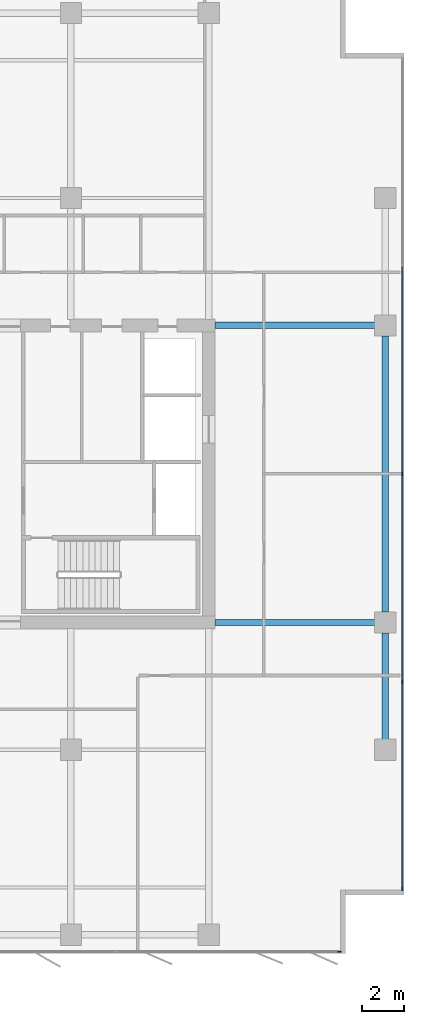
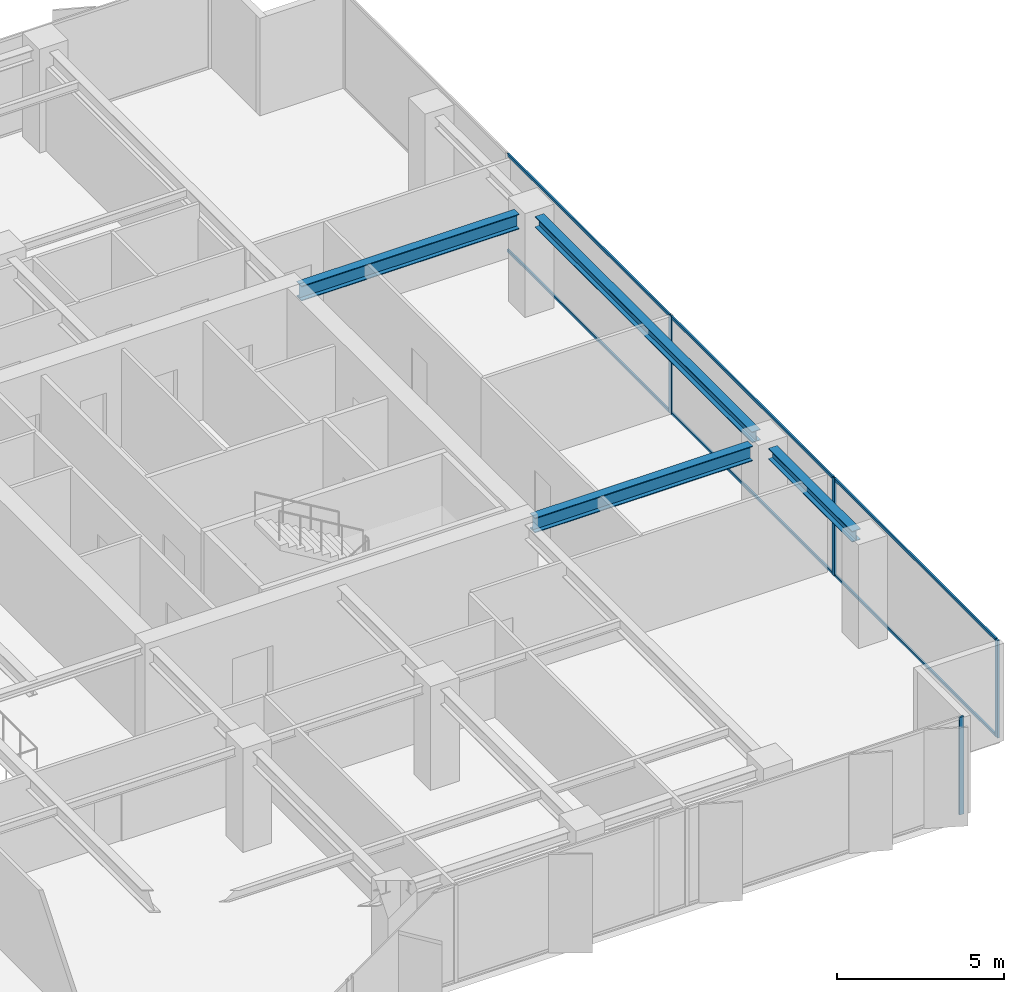
# One storey, part 12 of 22: 10 members, 4 beams, 2 elements without a shape of their own.
"""IFC4 building model written with IfcOpenShell, lengths in metres."""

from ifc_helpers import new_model, si_unit, direction, frame, origin, origin_2d, place, context, subcontext, project, spatial, rectangle, i_section, extrude, material, layer, layer_set, material_profile, profile_set, type_object, element, aggregate, save


model = new_model("IFC4")

# Units and contexts
model_context = context("Model", 3, precision=1e-05, world=origin(), true_north=direction((0.0, 1.0)))
body_context = subcontext(model_context, "Body", "Model", "MODEL_VIEW")
ifc_project = project(units=[si_unit("LENGTHUNIT", "METRE"), si_unit("AREAUNIT", "SQUARE_METRE"), si_unit("VOLUMEUNIT", "CUBIC_METRE"), si_unit("PLANEANGLEUNIT", "RADIAN"), si_unit("MASSUNIT", "GRAM", prefix="KILO")], contexts=[model_context])

# Site, building, storey
site_placement = place(None, origin())
site = spatial("IfcSite", under=ifc_project, at=site_placement, CompositionType="ELEMENT")
building_placement = place(site_placement, origin())
building = spatial("IfcBuilding", under=site, at=building_placement, Name="Putna Gate Headquarters", CompositionType="ELEMENT")
storey_placement = place(building_placement, frame((0.0, 0.0, 167.0)))
storey = spatial("IfcBuildingStorey", under=building, at=storey_placement, Name="L41", CompositionType="ELEMENT", Elevation=167.0)

# Beams
ifc_material_1 = material(Name="Steel S355J2", Category="steel")
ifc_material_profile_1 = material_profile(ifc_material_1, i_section(OverallWidth=0.300048828125, OverallDepth=0.550048828125, WebThickness=0.014892578125, FlangeThickness=0.029052734375, at=origin_2d()), Name="Steel S355J2")
ifc_profile_set_1 = profile_set([ifc_material_profile_1], Name="Steel S355J2")
beam_type_1 = type_object("IfcBeamType", Name="BM-GIRD-Z3-HEB550", PredefinedType="USERDEFINED", material=ifc_profile_set_1)
for number, where, z_axis, x_axis, name in (
    (1, (65.284912109375, 19.0, 3.297119140625), (1.0, 0.0, 0.0), (0.0, 1.0, 0.0), "L41 East Wing Girder Y19"),
    (2, (65.284912109375, 33.0, 3.297119140625), (1.0, 0.0, 0.0), (0.0, 1.0, 0.0), "L41 East Wing Girder Y33"),
):
    element("IfcBeam", number, at=place(storey_placement, frame(where, z_axis=z_axis, x_axis=x_axis)), inside=storey, type_object=beam_type_1, Name=name, ObjectType="GIRDER", PredefinedType="USERDEFINED", context=body_context, shape_type="SweptSolid", body=[
        extrude(i_section(OverallWidth=0.300048828125, OverallDepth=0.550048828125, WebThickness=0.014892578125, FlangeThickness=0.029052734375, at=origin_2d()), origin(), (0.0, 0.0, 1.0), 7.547119140625),
    ])
ifc_material_profile_2 = material_profile(ifc_material_1, i_section(OverallWidth=0.300048828125, OverallDepth=0.39990234375, WebThickness=0.013427734375, FlangeThickness=0.02392578125, at=origin_2d()), Name="Steel S355J2")
ifc_profile_set_2 = profile_set([ifc_material_profile_2], Name="Steel S355J2")
beam_type_2 = type_object("IfcBeamType", Name="BM-SPAN-Z3-HEB400", PredefinedType="SPANDREL", material=ifc_profile_set_2)
beam_1_placement = place(storey_placement, frame((73.320068359375, 13.488037109375, 3.3720703125), z_axis=(0.0, 1.0, 0.0), x_axis=(-1.0, 0.0, 0.0)))
element("IfcBeam", 3, at=beam_1_placement, inside=storey, type_object=beam_type_2, Name="L41 E End Spandrel 1", PredefinedType="SPANDREL", context=body_context, shape_type="SweptSolid", body=[
    extrude(i_section(OverallWidth=0.300048828125, OverallDepth=0.39990234375, WebThickness=0.013427734375, FlangeThickness=0.02392578125, at=origin_2d()), origin(), (0.0, 0.0, 1.0), 5.02392578125),
])
beam_2_placement = place(storey_placement, frame((73.320068359375, 19.488037109375, 3.3720703125), z_axis=(0.0, 1.0, 0.0), x_axis=(-1.0, 0.0, 0.0)))
element("IfcBeam", 4, at=beam_2_placement, inside=storey, type_object=beam_type_2, Name="L41 E End Spandrel 2", PredefinedType="SPANDREL", context=body_context, shape_type="SweptSolid", body=[
    extrude(i_section(OverallWidth=0.300048828125, OverallDepth=0.39990234375, WebThickness=0.013427734375, FlangeThickness=0.02392578125, at=origin_2d()), origin(), (0.0, 0.0, 1.0), 13.02392578125),
])

# Curtain wall, member
ifc_material_2 = material(Name="Anodised bronze aluminium curtain wall", Category="aluminium")
ifc_layer = layer(ifc_material_2, 0.159912109375)
ifc_layer_set = layer_set([ifc_layer], Name="Anodised bronze aluminium curtain wall")
curtain_wall_type = type_object("IfcCurtainWallType", Name="CW-SYS-Z3", PredefinedType="USERDEFINED", material=ifc_layer_set)
curtain_wall_1_placement = place(storey_placement, origin())
curtain_wall_1 = element("IfcCurtainWall", 5, at=curtain_wall_1_placement, inside=storey, type_object=curtain_wall_type, Name="L41 South East Curtain Wall", ObjectType="STICK CURTAIN WALL", PredefinedType="USERDEFINED")
ifc_material_3 = material(Name="Anodised bronze aluminium EN AW-6060", Category="aluminium")
ifc_material_profile_3 = material_profile(ifc_material_3, rectangle(XDim=0.06494140625, YDim=0.159912109375, at=origin_2d()), Name="Anodised bronze aluminium EN AW-6060")
ifc_profile_set_3 = profile_set([ifc_material_profile_3], Name="Anodised bronze aluminium EN AW-6060")
member_type_1 = type_object("IfcMemberType", Name="MULL-CWM-3", PredefinedType="MULLION", material=ifc_profile_set_3)
member_1_placement = place(storey_placement, frame((71.16748046875, 3.47998046875, 0.0), z_axis=(0.0, 0.0, 1.0), x_axis=(0.0, 1.0, 0.0)))
member_1 = element("IfcMember", 6, at=member_1_placement, type_object=member_type_1, Name="CWS-3 mullion 3", PredefinedType="MULLION", context=body_context, shape_type="SweptSolid", body=[
    extrude(rectangle(XDim=0.06494140625, YDim=0.159912109375, at=origin_2d()), origin(), (0.0, 0.0, 1.0), 3.572021484375),
])
aggregate(curtain_wall_1, [member_1])

# Curtain wall, members
curtain_wall_2_placement = place(storey_placement, origin())
curtain_wall_2 = element("IfcCurtainWall", 7, at=curtain_wall_2_placement, inside=storey, type_object=curtain_wall_type, Name="L41 East Curtain Wall", ObjectType="STICK CURTAIN WALL", PredefinedType="USERDEFINED")
member_2_placement = place(storey_placement, frame((74.1201171875, 6.4326171875, 0.0), z_axis=(0.0, 0.0, 1.0), x_axis=(-1.0, 0.0, 0.0)))
member_2 = element("IfcMember", 8, at=member_2_placement, type_object=member_type_1, Name="CWS-3 mullion 1", PredefinedType="MULLION", context=body_context, shape_type="SweptSolid", body=[
    extrude(rectangle(XDim=0.06494140625, YDim=0.159912109375, at=origin_2d()), origin(), (0.0, 0.0, 1.0), 3.572021484375),
])
member_3_placement = place(storey_placement, frame((74.1201171875, 16.199951171875, 0.0), z_axis=(0.0, 0.0, 1.0), x_axis=(-1.0, 0.0, 0.0)))
member_3 = element("IfcMember", 9, at=member_3_placement, type_object=member_type_1, Name="CWS-3 mullion 2", PredefinedType="MULLION", context=body_context, shape_type="SweptSolid", body=[
    extrude(rectangle(XDim=0.06494140625, YDim=0.159912109375, at=origin_2d()), origin(), (0.0, 0.0, 1.0), 3.572021484375),
])
member_4_placement = place(storey_placement, frame((74.1201171875, 26.0, 0.0), z_axis=(0.0, 0.0, 1.0), x_axis=(-1.0, 0.0, 0.0)))
member_4 = element("IfcMember", 10, at=member_4_placement, type_object=member_type_1, Name="CWS-3 mullion 3", PredefinedType="MULLION", context=body_context, shape_type="SweptSolid", body=[
    extrude(rectangle(XDim=0.06494140625, YDim=0.159912109375, at=origin_2d()), origin(), (0.0, 0.0, 1.0), 3.572021484375),
])
ifc_material_profile_4 = material_profile(ifc_material_3, rectangle(XDim=0.06005859375, YDim=0.10009765625, at=origin_2d()), Name="Anodised bronze aluminium EN AW-6060")
ifc_profile_set_4 = profile_set([ifc_material_profile_4], Name="Anodised bronze aluminium EN AW-6060")
member_type_2 = type_object("IfcMemberType", Name="TRAN-CWT-3", PredefinedType="USERDEFINED", material=ifc_profile_set_4)
member_5_placement = place(storey_placement, frame((74.1201171875, 6.465087890625, 0.030029296875), z_axis=(0.0, 1.0, 0.0), x_axis=(-1.0, 0.0, 0.0)))
member_5 = element("IfcMember", 11, at=member_5_placement, type_object=member_type_2, Name="CWS-3 transom 1.1", ObjectType="TRANSOM", PredefinedType="USERDEFINED", context=body_context, shape_type="SweptSolid", body=[
    extrude(rectangle(XDim=0.06005859375, YDim=0.10009765625, at=origin_2d()), origin(), (0.0, 0.0, 1.0), 9.702392578125),
])
member_6_placement = place(storey_placement, frame((74.1201171875, 6.465087890625, 3.5419921875), z_axis=(0.0, 1.0, 0.0), x_axis=(-1.0, 0.0, 0.0)))
member_6 = element("IfcMember", 12, at=member_6_placement, type_object=member_type_2, Name="CWS-3 transom 1.2", ObjectType="TRANSOM", PredefinedType="USERDEFINED", context=body_context, shape_type="SweptSolid", body=[
    extrude(rectangle(XDim=0.06005859375, YDim=0.10009765625, at=origin_2d()), origin(), (0.0, 0.0, 1.0), 9.702392578125),
])
member_7_placement = place(storey_placement, frame((74.1201171875, 16.232421875, 0.030029296875), z_axis=(0.0, 1.0, 0.0), x_axis=(-1.0, 0.0, 0.0)))
member_7 = element("IfcMember", 13, at=member_7_placement, type_object=member_type_2, Name="CWS-3 transom 2.1", ObjectType="TRANSOM", PredefinedType="USERDEFINED", context=body_context, shape_type="SweptSolid", body=[
    extrude(rectangle(XDim=0.06005859375, YDim=0.10009765625, at=origin_2d()), origin(), (0.0, 0.0, 1.0), 9.735107421875),
])
member_8_placement = place(storey_placement, frame((74.1201171875, 16.232421875, 3.5419921875), z_axis=(0.0, 1.0, 0.0), x_axis=(-1.0, 0.0, 0.0)))
member_8 = element("IfcMember", 14, at=member_8_placement, type_object=member_type_2, Name="CWS-3 transom 2.2", ObjectType="TRANSOM", PredefinedType="USERDEFINED", context=body_context, shape_type="SweptSolid", body=[
    extrude(rectangle(XDim=0.06005859375, YDim=0.10009765625, at=origin_2d()), origin(), (0.0, 0.0, 1.0), 9.735107421875),
])
member_9_placement = place(storey_placement, frame((74.1201171875, 26.032470703125, 0.030029296875), z_axis=(0.0, 1.0, 0.0), x_axis=(-1.0, 0.0, 0.0)))
member_9 = element("IfcMember", 15, at=member_9_placement, type_object=member_type_2, Name="CWS-3 transom 3.1", ObjectType="TRANSOM", PredefinedType="USERDEFINED", context=body_context, shape_type="SweptSolid", body=[
    extrude(rectangle(XDim=0.06005859375, YDim=0.10009765625, at=origin_2d()), origin(), (0.0, 0.0, 1.0), 9.735107421875),
])
member_10_placement = place(storey_placement, frame((74.1201171875, 26.032470703125, 3.5419921875), z_axis=(0.0, 1.0, 0.0), x_axis=(-1.0, 0.0, 0.0)))
member_10 = element("IfcMember", 16, at=member_10_placement, type_object=member_type_2, Name="CWS-3 transom 3.2", ObjectType="TRANSOM", PredefinedType="USERDEFINED", context=body_context, shape_type="SweptSolid", body=[
    extrude(rectangle(XDim=0.06005859375, YDim=0.10009765625, at=origin_2d()), origin(), (0.0, 0.0, 1.0), 9.735107421875),
])
aggregate(curtain_wall_2, [member_2, member_3, member_4, member_5, member_6, member_7, member_8, member_9, member_10])

save(model, "model.ifc")
